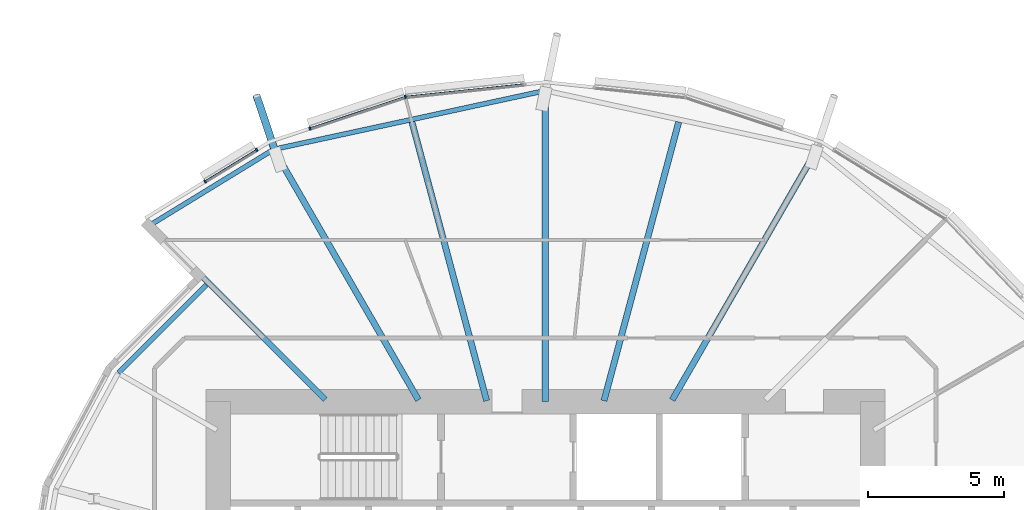
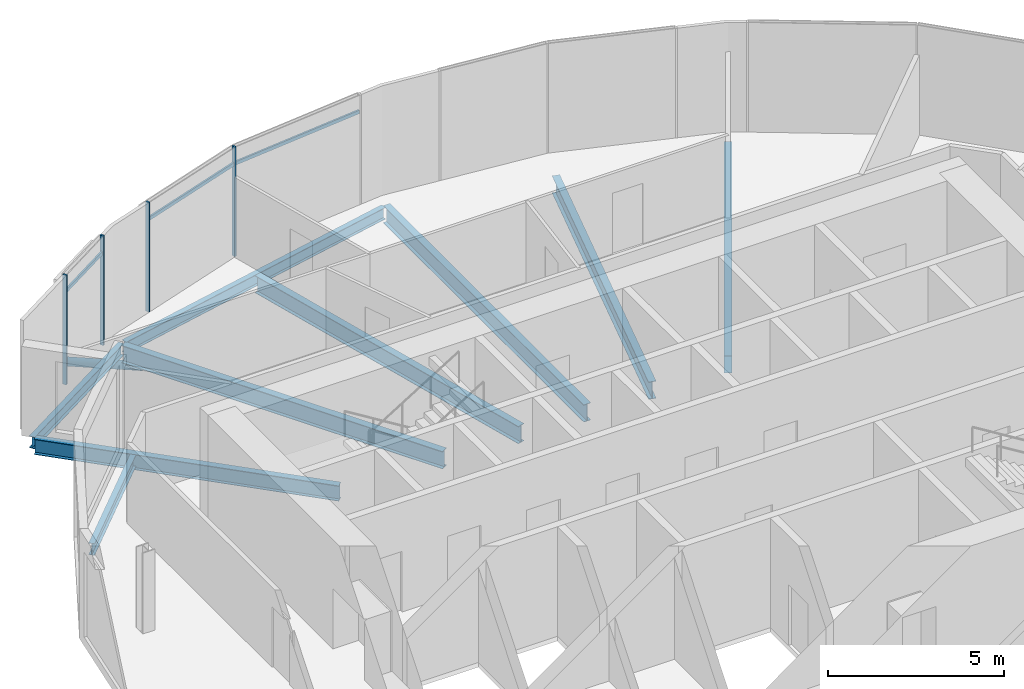
# One storey, part 10 of 36: 9 beams, 8 members, 1 element without a shape of its own.
"""IFC4 building model written with IfcOpenShell, lengths in metres."""

import ifcopenshell
import ifcopenshell.guid

model = None  # the IFC model being written
_history = None  # IfcOwnerHistory: only IFC2X3 demands one
_inside = {}  # id of a spatial element -> (the spatial element, [elements in it])
_under = {}  # id of a project, library or spatial element -> (it, [spatial elements below it])
_declared = {}  # id of a project -> (the project, [libraries it declares])
_typed = {}  # id of a type object -> (the type object, [elements of that type])
_made_of = {}  # id of a material, layer set ... -> (it, [elements and type objects made of it])


def new_model(schema):
    """Start an empty IFC model of exactly this schema.

    Asked for "IFC4X3", IfcOpenShell would pick the latest addendum, in which some entities
    have other attributes; the version numbers below select the first issue.
    IFC2X3 requires an IfcOwnerHistory on every rooted entity: one is made here for all.
    """
    global model, _history
    if schema == "IFC4X3":
        model = ifcopenshell.file(schema_version=(4, 3, 0, 0))
    else:
        model = ifcopenshell.file(schema=schema)
    _inside.clear()
    _under.clear()
    _declared.clear()
    _typed.clear()
    _made_of.clear()
    _history = None
    if model.schema == "IFC2X3":
        org = make("IfcOrganization", Name="unknown")
        user = make(
            "IfcPersonAndOrganization",
            ThePerson=make("IfcPerson", FamilyName="unknown"),
            TheOrganization=org,
        )
        app = make(
            "IfcApplication",
            ApplicationDeveloper=org,
            Version="unknown",
            ApplicationFullName="unknown",
            ApplicationIdentifier="unknown",
        )
        _history = make(
            "IfcOwnerHistory",
            OwningUser=user,
            OwningApplication=app,
            ChangeAction="ADDED",
            CreationDate=0,
        )
    return model


def make(cls, **values):
    """One entity of the class cls with the attributes given. An attribute that is None is left unset."""
    return model.create_entity(
        cls, **{name: value for name, value in values.items() if value is not None}
    )


def rooted(cls, **values):
    """An entity with a GlobalId (a new one), such as an element, a storey or a relation."""
    return make(cls, GlobalId=ifcopenshell.guid.new(), OwnerHistory=_history, **values)


def si_unit(unit_type, name, prefix=None):
    """IfcSIUnit, for example si_unit("LENGTHUNIT", "METRE", prefix="MILLI")."""
    return make("IfcSIUnit", UnitType=unit_type, Prefix=prefix, Name=name)


def assignment(units):
    """IfcUnitAssignment: the units of a project."""
    return None if units is None else make("IfcUnitAssignment", Units=units)


def point(xyz):
    """IfcCartesianPoint."""
    return None if xyz is None else make("IfcCartesianPoint", Coordinates=xyz)


def direction(xyz):
    """IfcDirection."""
    return None if xyz is None else make("IfcDirection", DirectionRatios=xyz)


def frame(location, z_axis=None, x_axis=None):
    """IfcAxis2Placement3D, a coordinate frame: its origin and axes. An axis left out is left unset."""
    return make(
        "IfcAxis2Placement3D",
        Location=point(location),
        Axis=direction(z_axis),
        RefDirection=direction(x_axis),
    )


def frame_2d(location, x_axis=None):
    """IfcAxis2Placement2D, a coordinate frame in the plane: its origin and x axis."""
    return make(
        "IfcAxis2Placement2D", Location=point(location), RefDirection=direction(x_axis)
    )


def origin():
    """The frame at (0, 0, 0) with its axes left unset."""
    return frame((0.0, 0.0, 0.0))


def origin_2d():
    """The frame at (0, 0) in the plane with its x axis left unset."""
    return frame_2d((0.0, 0.0))


def place(relative_to, where):
    """IfcLocalPlacement: puts the frame where relative to a parent placement (None: the world)."""
    return make(
        "IfcLocalPlacement", PlacementRelTo=relative_to, RelativePlacement=where
    )


def context(
    kind, dimensions, precision=None, world=None, true_north=None, identifier=None
):
    """IfcGeometricRepresentationContext, for example the 3D "Model" context."""
    return make(
        "IfcGeometricRepresentationContext",
        ContextIdentifier=identifier,
        ContextType=kind,
        CoordinateSpaceDimension=dimensions,
        Precision=precision,
        WorldCoordinateSystem=world,
        TrueNorth=true_north,
    )


def subcontext(parent, identifier, kind, view, scale=None):
    """IfcGeometricRepresentationSubContext, for example "Body" below "Model"."""
    return make(
        "IfcGeometricRepresentationSubContext",
        ContextIdentifier=identifier,
        ContextType=kind,
        ParentContext=parent,
        TargetScale=scale,
        TargetView=view,
    )


def project(units=None, contexts=None):
    """IfcProject with its units and contexts."""
    return rooted(
        "IfcProject",
        Name="project",
        RepresentationContexts=contexts,
        UnitsInContext=assignment(units),
    )


def spatial(cls, under=None, at=None, **own):
    """A site, building, storey or space (cls), placed at a placement, below another one or the project."""
    s = rooted(cls, ObjectPlacement=at, **own)
    if under is not None:
        _under.setdefault(under.id(), (under, []))[1].append(s)
    return s


def profile(cls, at=None, kind="AREA", **sizes):
    """A parametric profile (cls). Its sizes go by their IFC names, for example OverallWidth=200.0."""
    return make(cls, ProfileType=kind, Position=at, **sizes)


def rectangle(**sizes):
    """IfcRectangleProfileDef."""
    return profile("IfcRectangleProfileDef", **sizes)


def hollow_circle(**sizes):
    """IfcCircleHollowProfileDef."""
    return profile("IfcCircleHollowProfileDef", **sizes)


def i_section(**sizes):
    """IfcIShapeProfileDef."""
    return profile("IfcIShapeProfileDef", **sizes)


def extrude(swept, where, along, depth):
    """IfcExtrudedAreaSolid: the profile swept, set in the frame where, extruded along a direction by depth."""
    return make(
        "IfcExtrudedAreaSolid",
        SweptArea=swept,
        Position=where,
        ExtrudedDirection=direction(along),
        Depth=depth,
    )


def clip(a, b, op="DIFFERENCE"):
    """IfcBooleanClippingResult: the solid a cut by the half space b."""
    return make(
        "IfcBooleanClippingResult", Operator=op, FirstOperand=a, SecondOperand=b
    )


def halfspace(plane, agree):
    """IfcHalfSpaceSolid: all space on one side of the plane z = 0 of the frame plane."""
    return make(
        "IfcHalfSpaceSolid",
        BaseSurface=make("IfcPlane", Position=plane),
        AgreementFlag=agree,
    )


def shape(context_of_items, identifier, shape_type, items):
    """IfcShapeRepresentation: the items that make up one representation, for example the "Body"."""
    return make(
        "IfcShapeRepresentation",
        ContextOfItems=context_of_items,
        RepresentationIdentifier=identifier,
        RepresentationType=shape_type,
        Items=items,
    )


def material(Name=None, Category=None):
    """IfcMaterial."""
    return make("IfcMaterial", Name=Name, Category=Category)


def material_profile(
    of_material, cross_section, Name=None, Category=None, Priority=None
):
    """IfcMaterialProfile: a cross section and its material."""
    return make(
        "IfcMaterialProfile",
        Name=Name,
        Material=of_material,
        Profile=cross_section,
        Priority=Priority,
        Category=Category,
    )


def profile_set(profiles, Name=None, composite=None):
    """IfcMaterialProfileSet."""
    return make(
        "IfcMaterialProfileSet",
        Name=Name,
        MaterialProfiles=profiles,
        CompositeProfile=composite,
    )


def made_of(thing, what):
    """Note that an element or type object is made of a material, layer set ...; save() writes the relation."""
    if what is not None:
        _made_of.setdefault(what.id(), (what, []))[1].append(thing)
    return thing


def type_object(cls, material=None, **own):
    """A type object (cls), such as IfcWallType, which elements share."""
    return made_of(rooted(cls, **own), material)


def element(
    cls,
    number,
    at=None,
    inside=None,
    cuts=None,
    type_object=None,
    material=None,
    context=None,
    identifier="Body",
    shape_type=None,
    held_by="IfcProductDefinitionShape",
    body=None,
    shapes=None,
    **own,
):
    """One element of the class cls, such as IfcWall. Its Tag is "e" and its number.

    at: its placement. inside: the storey or other place that contains it. cuts: it is an
    opening in that element (IfcRelVoidsElement). A single representation is given by context,
    identifier, shape_type and body (its items); several are given by shapes. held_by: the class
    of the entity that holds the representations. save() writes the other relations.
    """
    e = rooted(cls, Tag="e%d" % number, ObjectPlacement=at, **own)
    if body is not None:
        shapes = [shape(context, identifier, shape_type, body)]
    if shapes is not None:
        e.Representation = make(held_by, Representations=shapes)
    if inside is not None:
        _inside.setdefault(inside.id(), (inside, []))[1].append(e)
    if cuts is not None:
        rooted(
            "IfcRelVoidsElement", RelatingBuildingElement=cuts, RelatedOpeningElement=e
        )
    if type_object is not None:
        _typed.setdefault(type_object.id(), (type_object, []))[1].append(e)
    return made_of(e, material)


def aggregate(whole, parts):
    """IfcRelAggregates: a whole, such as a stair, and the parts it consists of."""
    return rooted("IfcRelAggregates", RelatingObject=whole, RelatedObjects=parts)


def save(model, path):
    """Write the relations noted so far, then the file.

    IfcRelAggregates (storeys below a building ...), IfcRelContainedInSpatialStructure (elements
    in a storey), IfcRelDefinesByType, IfcRelAssociatesMaterial and IfcRelDeclares: one each for
    every whole, place, type object, material and project.
    """
    for whole, parts in _under.values():
        aggregate(whole, parts)
    for where, things in _inside.values():
        rooted(
            "IfcRelContainedInSpatialStructure",
            RelatedElements=things,
            RelatingStructure=where,
        )
    for kind, things in _typed.values():
        rooted("IfcRelDefinesByType", RelatedObjects=things, RelatingType=kind)
    for what, things in _made_of.values():
        rooted("IfcRelAssociatesMaterial", RelatedObjects=things, RelatingMaterial=what)
    for by, libraries in _declared.values():
        rooted("IfcRelDeclares", RelatingContext=by, RelatedDefinitions=libraries)
    model.write(path)


model = new_model("IFC4")

# Units and contexts
model_context = context("Model", 3, precision=1e-05, world=origin(), true_north=direction((0.0, 1.0)))
body_context = subcontext(model_context, "Body", "Model", "MODEL_VIEW")
ifc_project = project(units=[si_unit("LENGTHUNIT", "METRE"), si_unit("AREAUNIT", "SQUARE_METRE"), si_unit("VOLUMEUNIT", "CUBIC_METRE"), si_unit("PLANEANGLEUNIT", "RADIAN"), si_unit("MASSUNIT", "GRAM", prefix="KILO")], contexts=[model_context])

# Site, building, storey
site_placement = place(None, origin())
site = spatial("IfcSite", under=ifc_project, at=site_placement, CompositionType="ELEMENT")
building_placement = place(site_placement, origin())
building = spatial("IfcBuilding", under=site, at=building_placement, Name="Rimbun Link Towers", CompositionType="ELEMENT")
storey_placement = place(building_placement, frame((0.0, 0.0, 33.800048828125)))
storey = spatial("IfcBuildingStorey", under=building, at=storey_placement, Name="L07", CompositionType="ELEMENT", Elevation=33.800048828125)

# Curtain wall, members
ifc_material_1 = material(Name="Aluminium 6063-T6 and low-iron glass", Category="aluminium")
curtain_wall_type = type_object("IfcCurtainWallType", Name="CW1 unitised vision wall", PredefinedType="NOTDEFINED", material=ifc_material_1)
curtain_wall_placement = place(storey_placement, origin())
curtain_wall = element("IfcCurtainWall", 1, at=curtain_wall_placement, inside=storey, type_object=curtain_wall_type, Name="CW1 L07 T1", PredefinedType="NOTDEFINED")
ifc_material_2 = material(Name="Aluminium 6063-T6", Category="aluminium")
ifc_material_profile_1 = material_profile(ifc_material_2, rectangle(XDim=0.1201171875, YDim=0.06005859375, at=origin_2d()), Name="MULLION 60X120")
ifc_profile_set_1 = profile_set([ifc_material_profile_1], Name="Aluminium 6063-T6")
member_type_1 = type_object("IfcMemberType", Name="CW1 mullion 60X120", PredefinedType="MULLION", material=ifc_profile_set_1)
member_1_placement = place(storey_placement, frame((-36.884521484375, 19.17333984375, 0.0), z_axis=(0.0, 0.0, 1.0), x_axis=(-0.210876994137, 0.97751260521, 0.0)))
member_1 = element("IfcMember", 2, at=member_1_placement, type_object=member_type_1, Name="CW1 mullion", PredefinedType="MULLION", context=body_context, shape_type="SweptSolid", body=[
    extrude(rectangle(XDim=0.1201171875, YDim=0.06005859375, at=origin_2d()), origin(), (0.0, 0.0, 1.0), 3.800048828125),
])
member_2_placement = place(storey_placement, frame((-40.383544921875, 18.01416015625, 0.0), z_axis=(0.0, 0.0, 1.0), x_axis=(-0.314563730837, 0.949236355837, 0.0)))
member_2 = element("IfcMember", 3, at=member_2_placement, type_object=member_type_1, Name="CW1 mullion", PredefinedType="MULLION", context=body_context, shape_type="SweptSolid", body=[
    extrude(rectangle(XDim=0.1201171875, YDim=0.06005859375, at=origin_2d()), origin(), (0.0, 0.0, 1.0), 3.800048828125),
])
member_3_placement = place(storey_placement, frame((-44.2265625, 16.072265625, 0.0), z_axis=(0.0, 0.0, 1.0), x_axis=(-0.523232417417, 0.85219002421, 0.0)))
member_3 = element("IfcMember", 4, at=member_3_placement, type_object=member_type_1, Name="CW1 mullion", PredefinedType="MULLION", context=body_context, shape_type="SweptSolid", body=[
    extrude(rectangle(XDim=0.1201171875, YDim=0.06005859375, at=origin_2d()), origin(), (0.0, 0.0, 1.0), 3.800048828125),
])
member_4_placement = place(storey_placement, frame((-42.336181640625, 17.23291015625, 0.0), z_axis=(0.0, 0.0, 1.0), x_axis=(-0.523232417417, 0.85219002421, 0.0)))
member_4 = element("IfcMember", 5, at=member_4_placement, type_object=member_type_1, Name="CW1 mullion", PredefinedType="MULLION", context=body_context, shape_type="SweptSolid", body=[
    extrude(rectangle(XDim=0.1201171875, YDim=0.06005859375, at=origin_2d()), origin(), (0.0, 0.0, 1.0), 3.800048828125),
])
ifc_material_3 = material(Name="Aluminium 6063-T6", Category="aluminium")
ifc_material_profile_2 = material_profile(ifc_material_3, rectangle(XDim=0.06005859375, YDim=0.1201171875, at=origin_2d()), Name="TRANSOM 60X120")
ifc_profile_set_2 = profile_set([ifc_material_profile_2], Name="Aluminium 6063-T6")
member_type_2 = type_object("IfcMemberType", Name="CW1 transom 60X120", PredefinedType="USERDEFINED", material=ifc_profile_set_2)
member_5_placement = place(storey_placement, frame((-36.84814453125, 19.175537109375, 3.199951171875), z_axis=(0.99449990358, 0.104737489845, 0.0), x_axis=(-0.104737489845, 0.99449990358, 0.0)))
member_5 = element("IfcMember", 6, at=member_5_placement, type_object=member_type_2, Name="CW1 transom", ObjectType="TRANSOM", PredefinedType="USERDEFINED", context=body_context, shape_type="SweptSolid", body=[
    extrude(rectangle(XDim=0.06005859375, YDim=0.1201171875, at=origin_2d()), origin(), (0.0, 0.0, 1.0), 4.34033203125),
])
member_6_placement = place(storey_placement, frame((-40.3544921875, 18.021728515625, 3.199951171875), z_axis=(0.949234904312, 0.314568110964, 0.0), x_axis=(-0.314568110964, 0.949234904312, 0.0)))
member_6 = element("IfcMember", 7, at=member_6_placement, type_object=member_type_2, Name="CW1 transom", ObjectType="TRANSOM", PredefinedType="USERDEFINED", context=body_context, shape_type="SweptSolid", body=[
    extrude(rectangle(XDim=0.06005859375, YDim=0.1201171875, at=origin_2d()), origin(), (0.0, 0.0, 1.0), 3.619873046875),
])
member_7_placement = place(storey_placement, frame((-44.199951171875, 16.08642578125, 3.199951171875), z_axis=(0.852228740187, 0.523169355371, 0.0), x_axis=(-0.523169355371, 0.852228740187, 0.0)))
member_7 = element("IfcMember", 8, at=member_7_placement, type_object=member_type_2, Name="CW1 transom", ObjectType="TRANSOM", PredefinedType="USERDEFINED", context=body_context, shape_type="SweptSolid", body=[
    extrude(rectangle(XDim=0.06005859375, YDim=0.1201171875, at=origin_2d()), origin(), (0.0, 0.0, 1.0), 2.158203125),
])
aggregate(curtain_wall, [member_1, member_2, member_3, member_4, member_5, member_6, member_7])

# Member
ifc_material_4 = material(Name="Steel S355J2H", Category="steel")
ifc_material_profile_3 = material_profile(ifc_material_4, hollow_circle(Radius=0.136474609375, WallThickness=0.012451171875, at=origin_2d()), Name="CHS 273x12.5")
ifc_profile_set_3 = profile_set([ifc_material_profile_3], Name="Steel S355J2H")
member_type_3 = type_object("IfcMemberType", Name="Floor edge link CHS 273x12.5", PredefinedType="BRACE", material=ifc_profile_set_3)
member_8_placement = place(storey_placement, frame((-41.638427734375, 17.127197265625, -0.888916015625), z_axis=(-0.295523788244, 0.877942932959, -0.376672134686), x_axis=(-0.947747735275, -0.319020736444, 0.0)))
element("IfcMember", 9, at=member_8_placement, inside=storey, type_object=member_type_3, Name="Floor edge link T1 L07 08", PredefinedType="BRACE", context=body_context, shape_type="Clipping", body=[
    clip(extrude(hollow_circle(Radius=0.136474609375, WallThickness=0.012451171875, at=origin_2d()), frame((0.0, 0.0, -0.69775390625)), (0.0, 0.0, 1.0), 3.074462890625), halfspace(frame((0.0, 0.0, -0.329833984375), z_axis=(0.0, 0.926346642975, -0.376672134686)), False)),
])

# Beams
ifc_material_5 = material(Name="Steel S355J2", Category="steel")
ifc_material_profile_4 = material_profile(ifc_material_5, i_section(OverallWidth=0.177978515625, OverallDepth=0.406494140625, WebThickness=0.0078125, FlangeThickness=0.0126953125, at=origin_2d()), Name="UB 406x178x60")
ifc_profile_set_4 = profile_set([ifc_material_profile_4], Name="Steel S355J2")
beam_type_1 = type_object("IfcBeamType", Name="UB 406x178x60", PredefinedType="BEAM", material=ifc_profile_set_4)
beam_1_placement = place(storey_placement, frame((-31.86474609375, 19.3779296875, -0.36328125), z_axis=(-0.977391971445, -0.211435413673, 0.0), x_axis=(0.211435413673, -0.977391971445, 0.0)))
element("IfcBeam", 10, at=beam_1_placement, inside=storey, type_object=beam_type_1, Name="Edge beam T1 L07 06-08", PredefinedType="BEAM", context=body_context, shape_type="SweptSolid", body=[
    extrude(i_section(OverallWidth=0.177978515625, OverallDepth=0.406494140625, WebThickness=0.0078125, FlangeThickness=0.0126953125, at=origin_2d()), origin(), (0.0, 0.0, 1.0), 9.950927734375),
])
beam_2_placement = place(storey_placement, frame((-41.709228515625, 17.248046875, -0.36328125), z_axis=(-0.852700549425, -0.522400012452, 0.0), x_axis=(0.522400012452, -0.852700549425, 0.0)))
element("IfcBeam", 11, at=beam_2_placement, inside=storey, type_object=beam_type_1, Name="Edge beam T1 L07 08", PredefinedType="BEAM", context=body_context, shape_type="SweptSolid", body=[
    extrude(i_section(OverallWidth=0.177978515625, OverallDepth=0.406494140625, WebThickness=0.0078125, FlangeThickness=0.0126953125, at=origin_2d()), origin(), (0.0, 0.0, 1.0), 5.2998046875),
])
beam_3_placement = place(storey_placement, frame((-44.181640625, 12.281982421875, -0.36328125), z_axis=(-0.706223049381, -0.707989409895, 0.0), x_axis=(0.707989409895, -0.706223049381, 0.0)))
element("IfcBeam", 12, at=beam_3_placement, inside=storey, type_object=beam_type_1, Name="Edge beam T1 L07 09 recess", PredefinedType="BEAM", context=body_context, shape_type="SweptSolid", body=[
    extrude(i_section(OverallWidth=0.177978515625, OverallDepth=0.406494140625, WebThickness=0.0078125, FlangeThickness=0.0126953125, at=origin_2d()), origin(), (0.0, 0.0, 1.0), 4.56103515625),
])
ifc_material_6 = material(Name="Steel S355J2", Category="steel")
ifc_material_profile_5 = material_profile(ifc_material_6, i_section(OverallWidth=0.209228515625, OverallDepth=0.533203125, WebThickness=0.010009765625, FlangeThickness=0.015625, at=origin_2d()), Name="UB 533x210x92")
ifc_profile_set_5 = profile_set([ifc_material_profile_5], Name="Steel S355J2")
beam_type_2 = type_object("IfcBeamType", Name="UB 533x210x92", PredefinedType="BEAM", material=ifc_profile_set_5)
beam_4_placement = place(storey_placement, frame((-39.82470703125, 8.07470703125, -0.4267578125), z_axis=(-0.707106781187, 0.707106781187, 0.0), x_axis=(-0.707106781187, -0.707106781187, 0.0)))
element("IfcBeam", 13, at=beam_4_placement, inside=storey, type_object=beam_type_2, Name="Radial beam T1 L07 09", PredefinedType="BEAM", context=body_context, shape_type="SweptSolid", body=[
    extrude(i_section(OverallWidth=0.209228515625, OverallDepth=0.533203125, WebThickness=0.010009765625, FlangeThickness=0.015625, at=origin_2d()), origin(), (0.0, 0.0, 1.0), 8.964599609375),
])
ifc_material_7 = material(Name="Steel S355J2", Category="steel")
ifc_material_profile_6 = material_profile(ifc_material_7, i_section(OverallWidth=0.2275390625, OverallDepth=0.6025390625, WebThickness=0.010498046875, FlangeThickness=0.014892578125, at=origin_2d()), Name="UB 610x229x101")
ifc_profile_set_6 = profile_set([ifc_material_profile_6], Name="Steel S355J2")
beam_type_3 = type_object("IfcBeamType", Name="UB 610x229x101", PredefinedType="BEAM", material=ifc_profile_set_6)
beam_5_placement = place(storey_placement, frame((-27.097900390625, 8.057861328125, -0.46142578125), z_axis=(0.500011199594, 0.866018937599, 0.0), x_axis=(-0.866018937599, 0.500011199594, 0.0)))
element("IfcBeam", 14, at=beam_5_placement, inside=storey, type_object=beam_type_3, Name="Radial beam T1 L07 04", PredefinedType="BEAM", context=body_context, shape_type="SweptSolid", body=[
    extrude(i_section(OverallWidth=0.2275390625, OverallDepth=0.6025390625, WebThickness=0.010498046875, FlangeThickness=0.014892578125, at=origin_2d()), origin(), (0.0, 0.0, 1.0), 10.612548828125),
])
beam_6_placement = place(storey_placement, frame((-29.598388671875, 8.030517578125, -0.46142578125), z_axis=(0.258839865624, 0.965920247207, 0.0), x_axis=(-0.965920247207, 0.258839865624, 0.0)))
element("IfcBeam", 15, at=beam_6_placement, inside=storey, type_object=beam_type_3, Name="Radial beam T1 L07 05", PredefinedType="BEAM", context=body_context, shape_type="SweptSolid", body=[
    extrude(i_section(OverallWidth=0.2275390625, OverallDepth=0.6025390625, WebThickness=0.010498046875, FlangeThickness=0.014892578125, at=origin_2d()), origin(), (0.0, 0.0, 1.0), 10.582763671875),
])
beam_7_placement = place(storey_placement, frame((-31.75, 8.0009765625, -0.46142578125), z_axis=(0.0, 1.0, 0.0), x_axis=(-1.0, 0.0, 0.0)))
element("IfcBeam", 16, at=beam_7_placement, inside=storey, type_object=beam_type_3, Name="Radial beam T1 L07 06", PredefinedType="BEAM", context=body_context, shape_type="SweptSolid", body=[
    extrude(i_section(OverallWidth=0.2275390625, OverallDepth=0.6025390625, WebThickness=0.010498046875, FlangeThickness=0.014892578125, at=origin_2d()), origin(), (0.0, 0.0, 1.0), 11.40185546875),
])
beam_8_placement = place(storey_placement, frame((-33.901611328125, 8.030517578125, -0.46142578125), z_axis=(-0.258839865624, 0.965920247207, 0.0), x_axis=(-0.965920247207, -0.258839865624, 0.0)))
element("IfcBeam", 17, at=beam_8_placement, inside=storey, type_object=beam_type_3, Name="Radial beam T1 L07 07", PredefinedType="BEAM", context=body_context, shape_type="SweptSolid", body=[
    extrude(i_section(OverallWidth=0.2275390625, OverallDepth=0.6025390625, WebThickness=0.010498046875, FlangeThickness=0.014892578125, at=origin_2d()), origin(), (0.0, 0.0, 1.0), 10.582763671875),
])
beam_9_placement = place(storey_placement, frame((-36.402099609375, 8.057861328125, -0.46142578125), z_axis=(-0.500014335853, 0.866017126818, 0.0), x_axis=(-0.866017126818, -0.500014335853, 0.0)))
element("IfcBeam", 18, at=beam_9_placement, inside=storey, type_object=beam_type_3, Name="Radial beam T1 L07 08", PredefinedType="BEAM", context=body_context, shape_type="SweptSolid", body=[
    extrude(i_section(OverallWidth=0.2275390625, OverallDepth=0.6025390625, WebThickness=0.010498046875, FlangeThickness=0.014892578125, at=origin_2d()), origin(), (0.0, 0.0, 1.0), 10.522705078125),
])

save(model, "model.ifc")
